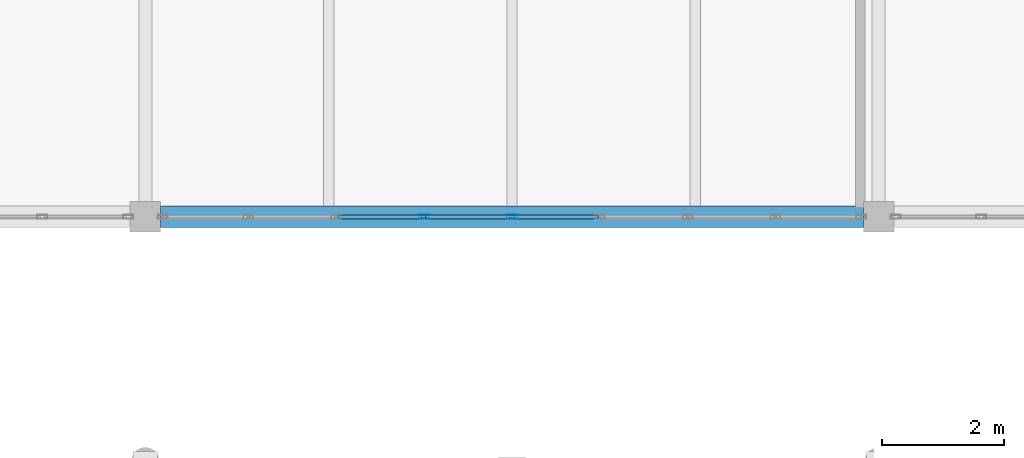
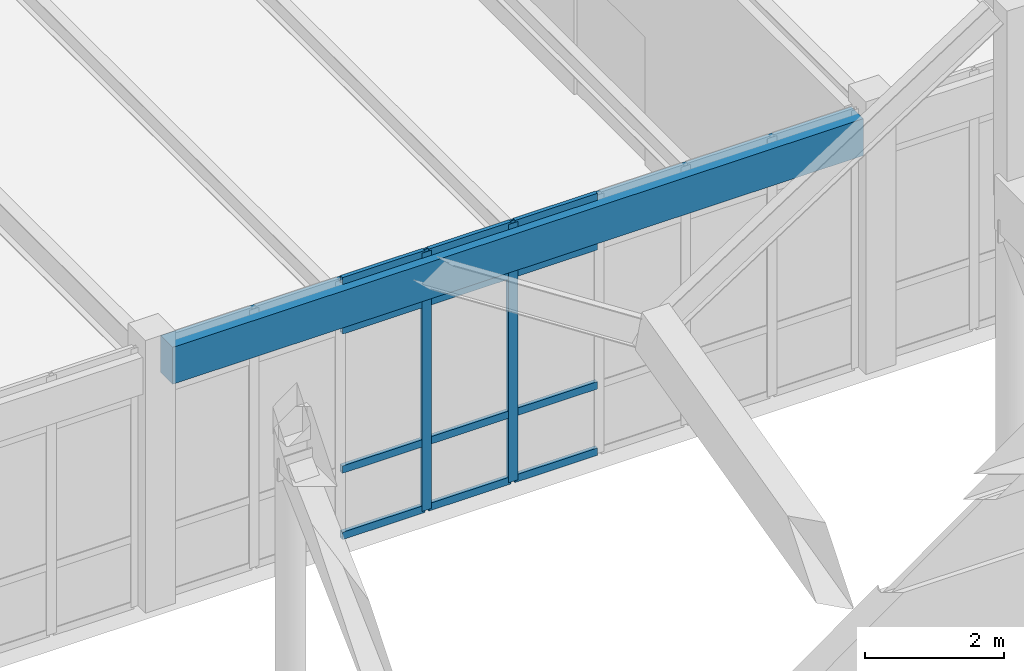
# One storey, part 107 of 236: 14 members, 1 beam, 1 element without a shape of its own.
"""IFC4 building model written with IfcOpenShell, lengths in metres."""

from ifc_helpers import new_model, si_unit, direction, frame, origin, origin_2d, place, context, subcontext, project, spatial, rectangle, hollow_rectangle, extrude, material, layer, layer_set, material_profile, profile_set, type_object, element, aggregate, save


model = new_model("IFC4")

# Units and contexts
model_context = context("Model", 3, precision=1e-05, world=origin(), true_north=direction((0.0, 1.0)))
body_context = subcontext(model_context, "Body", "Model", "MODEL_VIEW")
ifc_project = project(units=[si_unit("LENGTHUNIT", "METRE"), si_unit("AREAUNIT", "SQUARE_METRE"), si_unit("VOLUMEUNIT", "CUBIC_METRE"), si_unit("PLANEANGLEUNIT", "RADIAN"), si_unit("MASSUNIT", "GRAM", prefix="KILO")], contexts=[model_context])

# Site, building, storey
site_placement = place(None, origin())
site = spatial("IfcSite", under=ifc_project, at=site_placement, CompositionType="ELEMENT")
building_placement = place(site_placement, origin())
building = spatial("IfcBuilding", under=site, at=building_placement, Name="Pandanus Reach Market Hall", CompositionType="ELEMENT")
storey_placement = place(building_placement, frame((0.0, 0.0, 5.39990234375)))
storey = spatial("IfcBuildingStorey", under=building, at=storey_placement, Name="L01", CompositionType="ELEMENT", Elevation=5.39990234375)

# Beam
ifc_material_1 = material(Name="Concrete N40 (40 MPa)", Category="concrete")
ifc_material_profile_1 = material_profile(ifc_material_1, rectangle(XDim=0.35009765625, YDim=0.64990234375, at=origin_2d()), Name="RC350x650", Category="LoadBearing")
ifc_profile_set_1 = profile_set([ifc_material_profile_1], Name="Concrete N40 (40 MPa)")
beam_type = type_object("IfcBeamType", Name="BM-RC350-E", PredefinedType="SPANDREL", material=ifc_profile_set_1)
beam_placement = place(storey_placement, frame((120.248046875, 96.0, 4.135009765625), z_axis=(1.0, 0.0, 0.0), x_axis=(0.0, 1.0, 0.0)))
element("IfcBeam", 1, at=beam_placement, inside=storey, type_object=beam_type, Name="Framing beam BM-RC350-E L01.853", PredefinedType="SPANDREL", context=body_context, shape_type="SweptSolid", body=[
    extrude(rectangle(XDim=0.35009765625, YDim=0.64990234375, at=origin_2d()), origin(), (0.0, 0.0, 1.0), 11.50390625),
])

# Curtain wall, members
ifc_material_2 = material(Name="Bronze anodised aluminium and low-E glass", Category="aluminium")
ifc_layer = layer(ifc_material_2, 0.159912109375, Name="CW-38")
ifc_layer_set = layer_set([ifc_layer], Name="Bronze anodised aluminium and low-E glass")
curtain_wall_type = type_object("IfcCurtainWallType", Name="CW-38", PredefinedType="NOTDEFINED", material=ifc_layer_set)
curtain_wall_placement = place(storey_placement, origin())
curtain_wall = element("IfcCurtainWall", 2, at=curtain_wall_placement, inside=storey, type_object=curtain_wall_type, Name="Glazed curtain wall CW-38 CW-0143", PredefinedType="NOTDEFINED")
ifc_material_3 = material(Name="Bronze anodised aluminium", Category="aluminium")
ifc_material_profile_2 = material_profile(ifc_material_3, hollow_rectangle(XDim=0.06494140625, YDim=0.159912109375, WallThickness=0.00390625, at=origin_2d()), Name="ALU65x160", Category="LoadBearing")
ifc_profile_set_2 = profile_set([ifc_material_profile_2], Name="Bronze anodised aluminium")
member_type_1 = type_object("IfcMemberType", Name="CW-M1", PredefinedType="MULLION", material=ifc_profile_set_2)
member_1_placement = place(storey_placement, frame((124.5625, 96.0, 0.0), z_axis=(0.0, 0.0, 1.0), x_axis=(0.0, 1.0, 0.0)))
member_1 = element("IfcMember", 3, at=member_1_placement, type_object=member_type_1, Name="CW-38 mullion 4", PredefinedType="MULLION", context=body_context, shape_type="SweptSolid", body=[
    extrude(hollow_rectangle(XDim=0.06494140625, YDim=0.159912109375, WallThickness=0.00390625, at=origin_2d()), origin(), (0.0, 0.0, 1.0), 4.550048828125),
])
member_2_placement = place(storey_placement, frame((126.0, 96.0, 0.0), z_axis=(0.0, 0.0, 1.0), x_axis=(0.0, 1.0, 0.0)))
member_2 = element("IfcMember", 4, at=member_2_placement, type_object=member_type_1, Name="CW-38 mullion 5", PredefinedType="MULLION", context=body_context, shape_type="SweptSolid", body=[
    extrude(hollow_rectangle(XDim=0.06494140625, YDim=0.159912109375, WallThickness=0.00390625, at=origin_2d()), origin(), (0.0, 0.0, 1.0), 4.550048828125),
])
ifc_material_profile_3 = material_profile(ifc_material_3, hollow_rectangle(XDim=0.06494140625, YDim=0.1298828125, WallThickness=0.00390625, at=origin_2d()), Name="ALU65x130", Category="LoadBearing")
ifc_profile_set_3 = profile_set([ifc_material_profile_3], Name="Bronze anodised aluminium")
member_type_2 = type_object("IfcMemberType", Name="CW-T1", PredefinedType="USERDEFINED", material=ifc_profile_set_3)
member_3_placement = place(storey_placement, frame((123.157470703125, 96.0, 0.03271484375), z_axis=(1.0, 0.0, 0.0), x_axis=(0.0, 1.0, 0.0)))
member_3 = element("IfcMember", 5, at=member_3_placement, type_object=member_type_2, Name="CW-38 transom 3.1", ObjectType="TRANSOM", PredefinedType="USERDEFINED", context=body_context, shape_type="SweptSolid", body=[
    extrude(hollow_rectangle(XDim=0.06494140625, YDim=0.1298828125, WallThickness=0.00390625, at=origin_2d()), origin(), (0.0, 0.0, 1.0), 1.37255859375),
])
member_4_placement = place(storey_placement, frame((123.157470703125, 96.0, 1.2001953125), z_axis=(1.0, 0.0, 0.0), x_axis=(0.0, 1.0, 0.0)))
member_4 = element("IfcMember", 6, at=member_4_placement, type_object=member_type_2, Name="CW-38 transom 3.2", ObjectType="TRANSOM", PredefinedType="USERDEFINED", context=body_context, shape_type="SweptSolid", body=[
    extrude(hollow_rectangle(XDim=0.06494140625, YDim=0.1298828125, WallThickness=0.00390625, at=origin_2d()), origin(), (0.0, 0.0, 1.0), 1.37255859375),
])
member_5_placement = place(storey_placement, frame((123.157470703125, 96.0, 3.650146484375), z_axis=(1.0, 0.0, 0.0), x_axis=(0.0, 1.0, 0.0)))
member_5 = element("IfcMember", 7, at=member_5_placement, type_object=member_type_2, Name="CW-38 transom 3.3", ObjectType="TRANSOM", PredefinedType="USERDEFINED", context=body_context, shape_type="SweptSolid", body=[
    extrude(hollow_rectangle(XDim=0.06494140625, YDim=0.1298828125, WallThickness=0.00390625, at=origin_2d()), origin(), (0.0, 0.0, 1.0), 1.37255859375),
])
member_6_placement = place(storey_placement, frame((123.157470703125, 96.0, 4.517578125), z_axis=(1.0, 0.0, 0.0), x_axis=(0.0, 1.0, 0.0)))
member_6 = element("IfcMember", 8, at=member_6_placement, type_object=member_type_2, Name="CW-38 transom 3.4", ObjectType="TRANSOM", PredefinedType="USERDEFINED", context=body_context, shape_type="SweptSolid", body=[
    extrude(hollow_rectangle(XDim=0.06494140625, YDim=0.1298828125, WallThickness=0.00390625, at=origin_2d()), origin(), (0.0, 0.0, 1.0), 1.37255859375),
])
member_7_placement = place(storey_placement, frame((124.594970703125, 96.0, 0.03271484375), z_axis=(1.0, 0.0, 0.0), x_axis=(0.0, 1.0, 0.0)))
member_7 = element("IfcMember", 9, at=member_7_placement, type_object=member_type_2, Name="CW-38 transom 4.1", ObjectType="TRANSOM", PredefinedType="USERDEFINED", context=body_context, shape_type="SweptSolid", body=[
    extrude(hollow_rectangle(XDim=0.06494140625, YDim=0.1298828125, WallThickness=0.00390625, at=origin_2d()), origin(), (0.0, 0.0, 1.0), 1.37255859375),
])
member_8_placement = place(storey_placement, frame((124.594970703125, 96.0, 1.2001953125), z_axis=(1.0, 0.0, 0.0), x_axis=(0.0, 1.0, 0.0)))
member_8 = element("IfcMember", 10, at=member_8_placement, type_object=member_type_2, Name="CW-38 transom 4.2", ObjectType="TRANSOM", PredefinedType="USERDEFINED", context=body_context, shape_type="SweptSolid", body=[
    extrude(hollow_rectangle(XDim=0.06494140625, YDim=0.1298828125, WallThickness=0.00390625, at=origin_2d()), origin(), (0.0, 0.0, 1.0), 1.37255859375),
])
member_9_placement = place(storey_placement, frame((124.594970703125, 96.0, 3.650146484375), z_axis=(1.0, 0.0, 0.0), x_axis=(0.0, 1.0, 0.0)))
member_9 = element("IfcMember", 11, at=member_9_placement, type_object=member_type_2, Name="CW-38 transom 4.3", ObjectType="TRANSOM", PredefinedType="USERDEFINED", context=body_context, shape_type="SweptSolid", body=[
    extrude(hollow_rectangle(XDim=0.06494140625, YDim=0.1298828125, WallThickness=0.00390625, at=origin_2d()), origin(), (0.0, 0.0, 1.0), 1.37255859375),
])
member_10_placement = place(storey_placement, frame((124.594970703125, 96.0, 4.517578125), z_axis=(1.0, 0.0, 0.0), x_axis=(0.0, 1.0, 0.0)))
member_10 = element("IfcMember", 12, at=member_10_placement, type_object=member_type_2, Name="CW-38 transom 4.4", ObjectType="TRANSOM", PredefinedType="USERDEFINED", context=body_context, shape_type="SweptSolid", body=[
    extrude(hollow_rectangle(XDim=0.06494140625, YDim=0.1298828125, WallThickness=0.00390625, at=origin_2d()), origin(), (0.0, 0.0, 1.0), 1.37255859375),
])
member_11_placement = place(storey_placement, frame((126.032470703125, 96.0, 0.03271484375), z_axis=(1.0, 0.0, 0.0), x_axis=(0.0, 1.0, 0.0)))
member_11 = element("IfcMember", 13, at=member_11_placement, type_object=member_type_2, Name="CW-38 transom 5.1", ObjectType="TRANSOM", PredefinedType="USERDEFINED", context=body_context, shape_type="SweptSolid", body=[
    extrude(hollow_rectangle(XDim=0.06494140625, YDim=0.1298828125, WallThickness=0.00390625, at=origin_2d()), origin(), (0.0, 0.0, 1.0), 1.37255859375),
])
member_12_placement = place(storey_placement, frame((126.032470703125, 96.0, 1.2001953125), z_axis=(1.0, 0.0, 0.0), x_axis=(0.0, 1.0, 0.0)))
member_12 = element("IfcMember", 14, at=member_12_placement, type_object=member_type_2, Name="CW-38 transom 5.2", ObjectType="TRANSOM", PredefinedType="USERDEFINED", context=body_context, shape_type="SweptSolid", body=[
    extrude(hollow_rectangle(XDim=0.06494140625, YDim=0.1298828125, WallThickness=0.00390625, at=origin_2d()), origin(), (0.0, 0.0, 1.0), 1.37255859375),
])
member_13_placement = place(storey_placement, frame((126.032470703125, 96.0, 3.650146484375), z_axis=(1.0, 0.0, 0.0), x_axis=(0.0, 1.0, 0.0)))
member_13 = element("IfcMember", 15, at=member_13_placement, type_object=member_type_2, Name="CW-38 transom 5.3", ObjectType="TRANSOM", PredefinedType="USERDEFINED", context=body_context, shape_type="SweptSolid", body=[
    extrude(hollow_rectangle(XDim=0.06494140625, YDim=0.1298828125, WallThickness=0.00390625, at=origin_2d()), origin(), (0.0, 0.0, 1.0), 1.37255859375),
])
member_14_placement = place(storey_placement, frame((126.032470703125, 96.0, 4.517578125), z_axis=(1.0, 0.0, 0.0), x_axis=(0.0, 1.0, 0.0)))
member_14 = element("IfcMember", 16, at=member_14_placement, type_object=member_type_2, Name="CW-38 transom 5.4", ObjectType="TRANSOM", PredefinedType="USERDEFINED", context=body_context, shape_type="SweptSolid", body=[
    extrude(hollow_rectangle(XDim=0.06494140625, YDim=0.1298828125, WallThickness=0.00390625, at=origin_2d()), origin(), (0.0, 0.0, 1.0), 1.37255859375),
])
aggregate(curtain_wall, [member_1, member_2, member_3, member_4, member_5, member_6, member_7, member_8, member_9, member_10, member_11, member_12, member_13, member_14])

save(model, "model.ifc")
